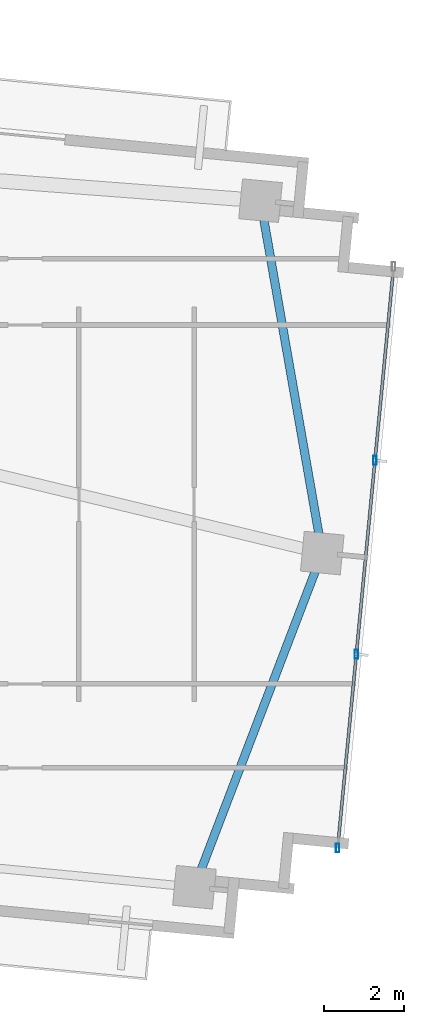
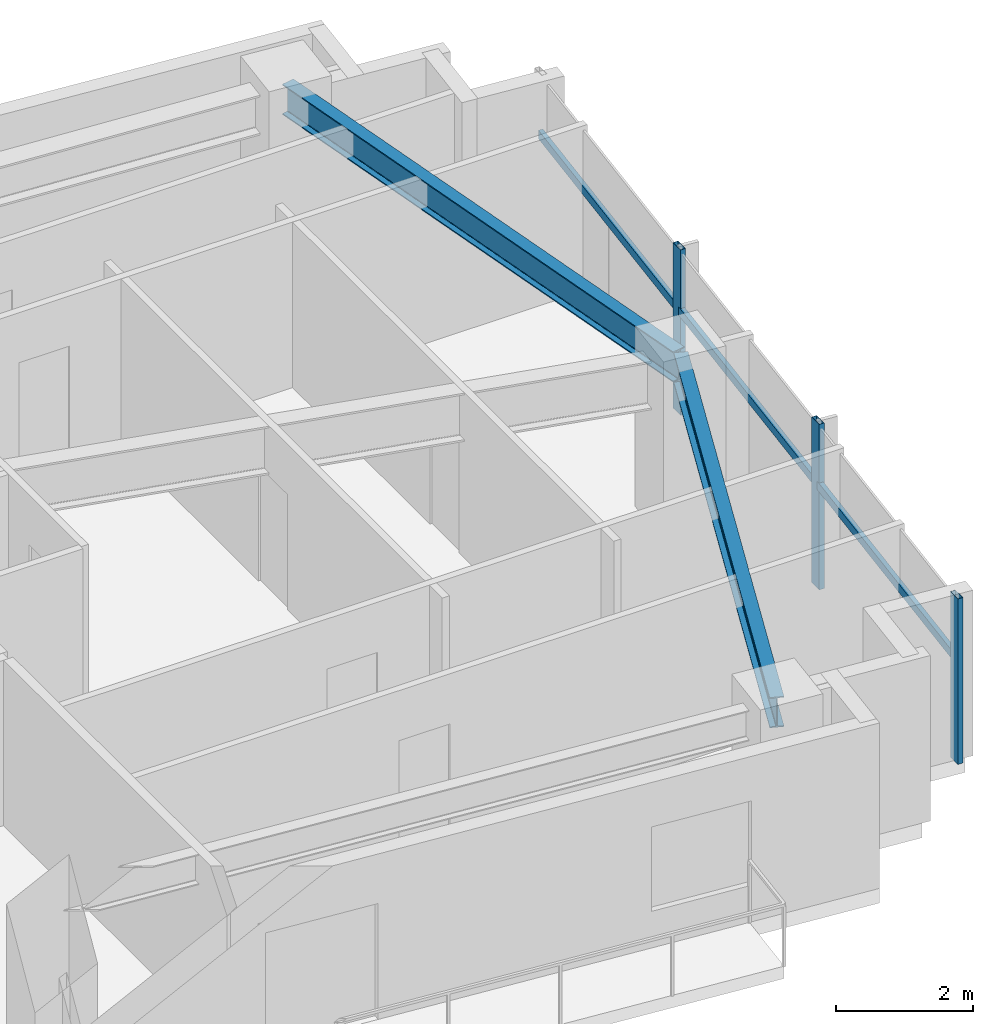
# One storey, part 10 of 19: 6 members, 2 beams, 1 element without a shape of its own.
"""IFC4 building model written with IfcOpenShell, lengths in metres."""

import ifcopenshell
import ifcopenshell.guid

model = None  # the IFC model being written
_history = None  # IfcOwnerHistory: only IFC2X3 demands one
_inside = {}  # id of a spatial element -> (the spatial element, [elements in it])
_under = {}  # id of a project, library or spatial element -> (it, [spatial elements below it])
_declared = {}  # id of a project -> (the project, [libraries it declares])
_typed = {}  # id of a type object -> (the type object, [elements of that type])
_made_of = {}  # id of a material, layer set ... -> (it, [elements and type objects made of it])


def new_model(schema):
    """Start an empty IFC model of exactly this schema.

    Asked for "IFC4X3", IfcOpenShell would pick the latest addendum, in which some entities
    have other attributes; the version numbers below select the first issue.
    IFC2X3 requires an IfcOwnerHistory on every rooted entity: one is made here for all.
    """
    global model, _history
    if schema == "IFC4X3":
        model = ifcopenshell.file(schema_version=(4, 3, 0, 0))
    else:
        model = ifcopenshell.file(schema=schema)
    _inside.clear()
    _under.clear()
    _declared.clear()
    _typed.clear()
    _made_of.clear()
    _history = None
    if model.schema == "IFC2X3":
        org = make("IfcOrganization", Name="unknown")
        user = make(
            "IfcPersonAndOrganization",
            ThePerson=make("IfcPerson", FamilyName="unknown"),
            TheOrganization=org,
        )
        app = make(
            "IfcApplication",
            ApplicationDeveloper=org,
            Version="unknown",
            ApplicationFullName="unknown",
            ApplicationIdentifier="unknown",
        )
        _history = make(
            "IfcOwnerHistory",
            OwningUser=user,
            OwningApplication=app,
            ChangeAction="ADDED",
            CreationDate=0,
        )
    return model


def make(cls, **values):
    """One entity of the class cls with the attributes given. An attribute that is None is left unset."""
    return model.create_entity(
        cls, **{name: value for name, value in values.items() if value is not None}
    )


def rooted(cls, **values):
    """An entity with a GlobalId (a new one), such as an element, a storey or a relation."""
    return make(cls, GlobalId=ifcopenshell.guid.new(), OwnerHistory=_history, **values)


def si_unit(unit_type, name, prefix=None):
    """IfcSIUnit, for example si_unit("LENGTHUNIT", "METRE", prefix="MILLI")."""
    return make("IfcSIUnit", UnitType=unit_type, Prefix=prefix, Name=name)


def assignment(units):
    """IfcUnitAssignment: the units of a project."""
    return None if units is None else make("IfcUnitAssignment", Units=units)


def point(xyz):
    """IfcCartesianPoint."""
    return None if xyz is None else make("IfcCartesianPoint", Coordinates=xyz)


def direction(xyz):
    """IfcDirection."""
    return None if xyz is None else make("IfcDirection", DirectionRatios=xyz)


def frame(location, z_axis=None, x_axis=None):
    """IfcAxis2Placement3D, a coordinate frame: its origin and axes. An axis left out is left unset."""
    return make(
        "IfcAxis2Placement3D",
        Location=point(location),
        Axis=direction(z_axis),
        RefDirection=direction(x_axis),
    )


def frame_2d(location, x_axis=None):
    """IfcAxis2Placement2D, a coordinate frame in the plane: its origin and x axis."""
    return make(
        "IfcAxis2Placement2D", Location=point(location), RefDirection=direction(x_axis)
    )


def origin():
    """The frame at (0, 0, 0) with its axes left unset."""
    return frame((0.0, 0.0, 0.0))


def origin_2d():
    """The frame at (0, 0) in the plane with its x axis left unset."""
    return frame_2d((0.0, 0.0))


def place(relative_to, where):
    """IfcLocalPlacement: puts the frame where relative to a parent placement (None: the world)."""
    return make(
        "IfcLocalPlacement", PlacementRelTo=relative_to, RelativePlacement=where
    )


def context(
    kind, dimensions, precision=None, world=None, true_north=None, identifier=None
):
    """IfcGeometricRepresentationContext, for example the 3D "Model" context."""
    return make(
        "IfcGeometricRepresentationContext",
        ContextIdentifier=identifier,
        ContextType=kind,
        CoordinateSpaceDimension=dimensions,
        Precision=precision,
        WorldCoordinateSystem=world,
        TrueNorth=true_north,
    )


def subcontext(parent, identifier, kind, view, scale=None):
    """IfcGeometricRepresentationSubContext, for example "Body" below "Model"."""
    return make(
        "IfcGeometricRepresentationSubContext",
        ContextIdentifier=identifier,
        ContextType=kind,
        ParentContext=parent,
        TargetScale=scale,
        TargetView=view,
    )


def project(units=None, contexts=None):
    """IfcProject with its units and contexts."""
    return rooted(
        "IfcProject",
        Name="project",
        RepresentationContexts=contexts,
        UnitsInContext=assignment(units),
    )


def spatial(cls, under=None, at=None, **own):
    """A site, building, storey or space (cls), placed at a placement, below another one or the project."""
    s = rooted(cls, ObjectPlacement=at, **own)
    if under is not None:
        _under.setdefault(under.id(), (under, []))[1].append(s)
    return s


def profile(cls, at=None, kind="AREA", **sizes):
    """A parametric profile (cls). Its sizes go by their IFC names, for example OverallWidth=200.0."""
    return make(cls, ProfileType=kind, Position=at, **sizes)


def hollow_rectangle(**sizes):
    """IfcRectangleHollowProfileDef."""
    return profile("IfcRectangleHollowProfileDef", **sizes)


def i_section(**sizes):
    """IfcIShapeProfileDef."""
    return profile("IfcIShapeProfileDef", **sizes)


def extrude(swept, where, along, depth):
    """IfcExtrudedAreaSolid: the profile swept, set in the frame where, extruded along a direction by depth."""
    return make(
        "IfcExtrudedAreaSolid",
        SweptArea=swept,
        Position=where,
        ExtrudedDirection=direction(along),
        Depth=depth,
    )


def shape(context_of_items, identifier, shape_type, items):
    """IfcShapeRepresentation: the items that make up one representation, for example the "Body"."""
    return make(
        "IfcShapeRepresentation",
        ContextOfItems=context_of_items,
        RepresentationIdentifier=identifier,
        RepresentationType=shape_type,
        Items=items,
    )


def source(mapping_origin, context_of_items, identifier, shape_type, items):
    """IfcRepresentationMap: a shape defined once, which mapped items show again and again."""
    return make(
        "IfcRepresentationMap",
        MappingOrigin=mapping_origin,
        MappedRepresentation=shape(context_of_items, identifier, shape_type, items),
    )


def transform(
    local_origin,
    x_axis=None,
    y_axis=None,
    z_axis=None,
    scale=None,
    scale2=None,
    scale3=None,
    uniform=True,
):
    """IfcCartesianTransformationOperator3D, or its non-uniform kind. x_axis, y_axis, z_axis: its Axis1, 2, 3."""
    if uniform:
        return make(
            "IfcCartesianTransformationOperator3D",
            Axis1=direction(x_axis),
            Axis2=direction(y_axis),
            LocalOrigin=point(local_origin),
            Scale=scale,
            Axis3=direction(z_axis),
        )
    return make(
        "IfcCartesianTransformationOperator3DnonUniform",
        Axis1=direction(x_axis),
        Axis2=direction(y_axis),
        LocalOrigin=point(local_origin),
        Scale=scale,
        Axis3=direction(z_axis),
        Scale2=scale2,
        Scale3=scale3,
    )


def mapped(mapping_source, mapping_target):
    """IfcMappedItem: shows the shape of a source again, moved by a transform."""
    return make(
        "IfcMappedItem", MappingSource=mapping_source, MappingTarget=mapping_target
    )


def material(Name=None, Category=None):
    """IfcMaterial."""
    return make("IfcMaterial", Name=Name, Category=Category)


def material_profile(
    of_material, cross_section, Name=None, Category=None, Priority=None
):
    """IfcMaterialProfile: a cross section and its material."""
    return make(
        "IfcMaterialProfile",
        Name=Name,
        Material=of_material,
        Profile=cross_section,
        Priority=Priority,
        Category=Category,
    )


def profile_set(profiles, Name=None, composite=None):
    """IfcMaterialProfileSet."""
    return make(
        "IfcMaterialProfileSet",
        Name=Name,
        MaterialProfiles=profiles,
        CompositeProfile=composite,
    )


def made_of(thing, what):
    """Note that an element or type object is made of a material, layer set ...; save() writes the relation."""
    if what is not None:
        _made_of.setdefault(what.id(), (what, []))[1].append(thing)
    return thing


def type_object(cls, material=None, **own):
    """A type object (cls), such as IfcWallType, which elements share."""
    return made_of(rooted(cls, **own), material)


def type_shapes(of_type, sources):
    """Give a type object the sources (RepresentationMaps) that its elements show as mapped items."""
    of_type.RepresentationMaps = sources


def element(
    cls,
    number,
    at=None,
    inside=None,
    cuts=None,
    type_object=None,
    material=None,
    context=None,
    identifier="Body",
    shape_type=None,
    held_by="IfcProductDefinitionShape",
    body=None,
    shapes=None,
    **own,
):
    """One element of the class cls, such as IfcWall. Its Tag is "e" and its number.

    at: its placement. inside: the storey or other place that contains it. cuts: it is an
    opening in that element (IfcRelVoidsElement). A single representation is given by context,
    identifier, shape_type and body (its items); several are given by shapes. held_by: the class
    of the entity that holds the representations. save() writes the other relations.
    """
    e = rooted(cls, Tag="e%d" % number, ObjectPlacement=at, **own)
    if body is not None:
        shapes = [shape(context, identifier, shape_type, body)]
    if shapes is not None:
        e.Representation = make(held_by, Representations=shapes)
    if inside is not None:
        _inside.setdefault(inside.id(), (inside, []))[1].append(e)
    if cuts is not None:
        rooted(
            "IfcRelVoidsElement", RelatingBuildingElement=cuts, RelatedOpeningElement=e
        )
    if type_object is not None:
        _typed.setdefault(type_object.id(), (type_object, []))[1].append(e)
    return made_of(e, material)


def aggregate(whole, parts):
    """IfcRelAggregates: a whole, such as a stair, and the parts it consists of."""
    return rooted("IfcRelAggregates", RelatingObject=whole, RelatedObjects=parts)


def save(model, path):
    """Write the relations noted so far, then the file.

    IfcRelAggregates (storeys below a building ...), IfcRelContainedInSpatialStructure (elements
    in a storey), IfcRelDefinesByType, IfcRelAssociatesMaterial and IfcRelDeclares: one each for
    every whole, place, type object, material and project.
    """
    for whole, parts in _under.values():
        aggregate(whole, parts)
    for where, things in _inside.values():
        rooted(
            "IfcRelContainedInSpatialStructure",
            RelatedElements=things,
            RelatingStructure=where,
        )
    for kind, things in _typed.values():
        rooted("IfcRelDefinesByType", RelatedObjects=things, RelatingType=kind)
    for what, things in _made_of.values():
        rooted("IfcRelAssociatesMaterial", RelatedObjects=things, RelatingMaterial=what)
    for by, libraries in _declared.values():
        rooted("IfcRelDeclares", RelatingContext=by, RelatedDefinitions=libraries)
    model.write(path)


model = new_model("IFC4")

# Units and contexts
model_context = context("Model", 3, precision=1e-05, world=origin(), true_north=direction((0.0, 1.0)))
body_context = subcontext(model_context, "Body", "Model", "MODEL_VIEW")
ifc_project = project(units=[si_unit("LENGTHUNIT", "METRE"), si_unit("AREAUNIT", "SQUARE_METRE"), si_unit("VOLUMEUNIT", "CUBIC_METRE"), si_unit("PLANEANGLEUNIT", "RADIAN"), si_unit("MASSUNIT", "GRAM", prefix="KILO")], contexts=[model_context])

# Site, building, storey
site_placement = place(None, origin())
site = spatial("IfcSite", under=ifc_project, at=site_placement, CompositionType="ELEMENT")
building_placement = place(site_placement, origin())
building = spatial("IfcBuilding", under=site, at=building_placement, Name="Astriad Promenade Condominiums", CompositionType="ELEMENT")
storey_placement = place(building_placement, frame((0.0, 0.0, 150.199951171875)))
storey = spatial("IfcBuildingStorey", under=building, at=storey_placement, Name="L43", CompositionType="ELEMENT", Elevation=150.199951171875)

# Beams
ifc_material_1 = material(Name="Steel ASTM A992 Grade 50", Category="steel")
ifc_material_profile_1 = material_profile(ifc_material_1, i_section(OverallWidth=0.210693359375, OverallDepth=0.53955078125, WebThickness=0.01171875, FlangeThickness=0.018798828125, FilletRadius=0.0166015625, at=origin_2d()), Name="W21X73")
ifc_profile_set_1 = profile_set([ifc_material_profile_1], Name="Steel ASTM A992 Grade 50")
beam_type = type_object("IfcBeamType", Name="STEEL SPANDREL BEAM W21X73", PredefinedType="SPANDREL", material=ifc_profile_set_1)
shared_shape_1 = source(origin(), body_context, "Body", "SweptSolid", [
    extrude(i_section(OverallWidth=0.210693359375, OverallDepth=0.53955078125, WebThickness=0.01171875, FlangeThickness=0.018798828125, FilletRadius=0.0166015625, at=origin_2d()), origin(), (0.0, 0.0, 1.0), 8.8623046875),
])
type_shapes(beam_type, [shared_shape_1])
for number, where, z_axis, x_axis, name in (
    (1, (55.081298828125, 6.033447265625, 2.670166015625), (0.357298632827, 0.933990196405, 0.0), (-0.933990196405, 0.357298632827, 0.0), "Perimeter Spandrel Beam SP-E1-L43"),
    (2, (58.25537109375, 14.3876953125, 2.670166015625), (-0.172532686951, 0.985003792852, 0.0), (-0.985003792852, -0.172532686951, 0.0), "Perimeter Spandrel Beam SP-E2-L43"),
):
    element("IfcBeam", number, at=place(storey_placement, frame(where, z_axis=z_axis, x_axis=x_axis)), inside=storey, type_object=beam_type, Name=name, PredefinedType="SPANDREL", context=body_context, shape_type="MappedRepresentation", body=[
        mapped(shared_shape_1, transform((0.0, 0.0, 0.0), scale=1.0)),
    ])

# Curtain wall, members
ifc_material_2 = material(Name="Anodised aluminium Black Dark Glass Unitised", Category="aluminium")
curtain_wall_type = type_object("IfcCurtainWallType", Name="CW-B34-DARK", PredefinedType="USERDEFINED", material=ifc_material_2)
curtain_wall_placement = place(storey_placement, origin())
curtain_wall = element("IfcCurtainWall", 3, at=curtain_wall_placement, inside=storey, type_object=curtain_wall_type, Name="CW-L43-E", ObjectType="UNITISED_CURTAIN_WALL", PredefinedType="USERDEFINED")
ifc_material_3 = material(Name="Anodised aluminium 6063-T6 Black", Category="aluminium")
ifc_material_profile_2 = material_profile(ifc_material_3, hollow_rectangle(XDim=0.0849609375, YDim=0.219970703125, WallThickness=0.0048828125, at=origin_2d()), Name="ALU-MUL-85X220")
ifc_profile_set_2 = profile_set([ifc_material_profile_2], Name="Anodised aluminium 6063-T6 Black")
member_type_1 = type_object("IfcMemberType", Name="MUL-ALU-MUL-85X220", PredefinedType="MULLION", material=ifc_profile_set_2)
shared_shape_2 = source(origin(), body_context, "Body", "SweptSolid", [
    extrude(hollow_rectangle(XDim=0.0849609375, YDim=0.219970703125, WallThickness=0.0048828125, at=origin_2d()), origin(), (0.0, 0.0, 1.0), 2.93994140625),
])
type_shapes(member_type_1, [shared_shape_2])
member_1_placement = place(storey_placement, frame((59.580322265625, 16.666015625, 0.0), z_axis=(0.0, 0.0, 1.0), x_axis=(1.0, 0.0, 0.0)))
member_1 = element("IfcMember", 4, at=member_1_placement, type_object=member_type_1, Name="CW-L43-E-MUL-01", PredefinedType="MULLION", context=body_context, shape_type="MappedRepresentation", body=[
    mapped(shared_shape_2, transform((0.0, 0.0, 0.0), scale=1.0)),
])
member_2_placement = place(storey_placement, frame((59.114013671875, 11.82177734375, 0.0), z_axis=(0.0, 0.0, 1.0), x_axis=(1.0, 0.0, 0.0)))
member_2 = element("IfcMember", 5, at=member_2_placement, type_object=member_type_1, Name="CW-L43-E-MUL-02", PredefinedType="MULLION", context=body_context, shape_type="MappedRepresentation", body=[
    mapped(shared_shape_2, transform((0.0, 0.0, 0.0), scale=1.0)),
])
member_3_placement = place(storey_placement, frame((58.6474609375, 6.977294921875, 0.0), z_axis=(0.0, 0.0, 1.0), x_axis=(1.0, 0.0, 0.0)))
member_3 = element("IfcMember", 6, at=member_3_placement, type_object=member_type_1, Name="CW-L43-E-MUL-03", PredefinedType="MULLION", context=body_context, shape_type="MappedRepresentation", body=[
    mapped(shared_shape_2, transform((0.0, 0.0, 0.0), scale=1.0)),
])
ifc_material_profile_3 = material_profile(ifc_material_3, hollow_rectangle(XDim=0.074951171875, YDim=0.14990234375, WallThickness=0.004150390625, at=origin_2d()), Name="ALU-TRN-75X150")
ifc_profile_set_3 = profile_set([ifc_material_profile_3], Name="Anodised aluminium 6063-T6 Black")
member_type_2 = type_object("IfcMemberType", Name="TRN-ALU-TRN-75X150", PredefinedType="USERDEFINED", material=ifc_profile_set_3)
shared_shape_3 = source(origin(), body_context, "Body", "SweptSolid", [
    extrude(hollow_rectangle(XDim=0.074951171875, YDim=0.14990234375, WallThickness=0.004150390625, at=origin_2d()), origin(), (0.0, 0.0, 1.0), 4.86669921875),
])
member_4_placement = place(storey_placement, frame((60.046875, 21.51025390625, 1.82275390625), z_axis=(-0.095867260207, -0.995394127178, 0.0), x_axis=(0.995394127178, -0.095867260207, 0.0)))
member_4 = element("IfcMember", 7, at=member_4_placement, type_object=member_type_2, Name="CW-L43-E-TRN-00-0", ObjectType="TRANSOM", PredefinedType="USERDEFINED", context=body_context, shape_type="MappedRepresentation", body=[
    mapped(shared_shape_3, transform((0.0, 0.0, 0.0), scale=1.0)),
])
member_5_placement = place(storey_placement, frame((59.580322265625, 16.666015625, 1.82275390625), z_axis=(-0.095817554883, -0.995398913088, 0.0), x_axis=(0.995398913088, -0.095817554883, 0.0)))
member_5 = element("IfcMember", 8, at=member_5_placement, type_object=member_type_2, Name="CW-L43-E-TRN-01-0", ObjectType="TRANSOM", PredefinedType="USERDEFINED", context=body_context, shape_type="MappedRepresentation", body=[
    mapped(shared_shape_3, transform((0.0, 0.0, 0.0), scale=1.0)),
])
shared_shape_4 = source(origin(), body_context, "Body", "SweptSolid", [
    extrude(hollow_rectangle(XDim=0.074951171875, YDim=0.14990234375, WallThickness=0.004150390625, at=origin_2d()), origin(), (0.0, 0.0, 1.0), 4.866943359375),
])
type_shapes(member_type_2, [shared_shape_3, shared_shape_4])
member_6_placement = place(storey_placement, frame((59.114013671875, 11.82177734375, 1.82275390625), z_axis=(-0.095862473318, -0.995394588196, 0.0), x_axis=(0.995394588196, -0.095862473318, 0.0)))
member_6 = element("IfcMember", 9, at=member_6_placement, type_object=member_type_2, Name="CW-L43-E-TRN-02-0", ObjectType="TRANSOM", PredefinedType="USERDEFINED", context=body_context, shape_type="MappedRepresentation", body=[
    mapped(shared_shape_4, transform((0.0, 0.0, 0.0), scale=1.0)),
])
aggregate(curtain_wall, [member_1, member_2, member_3, member_4, member_5, member_6])

save(model, "model.ifc")
